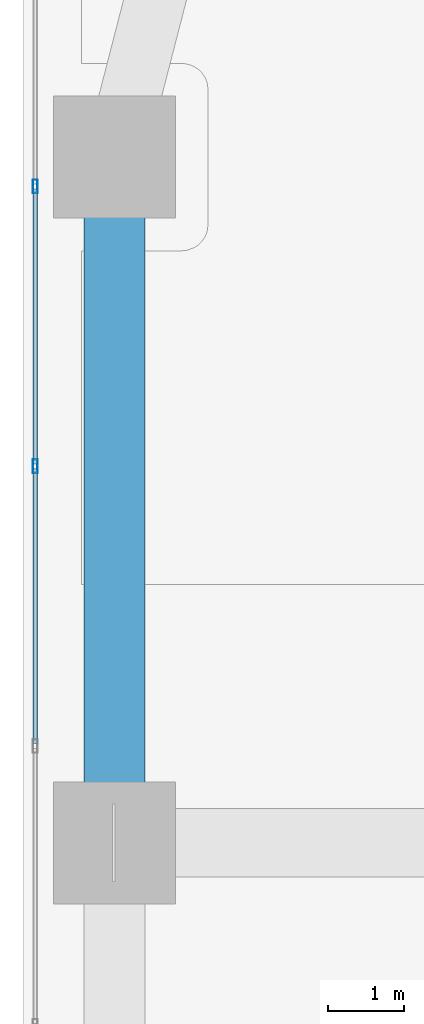
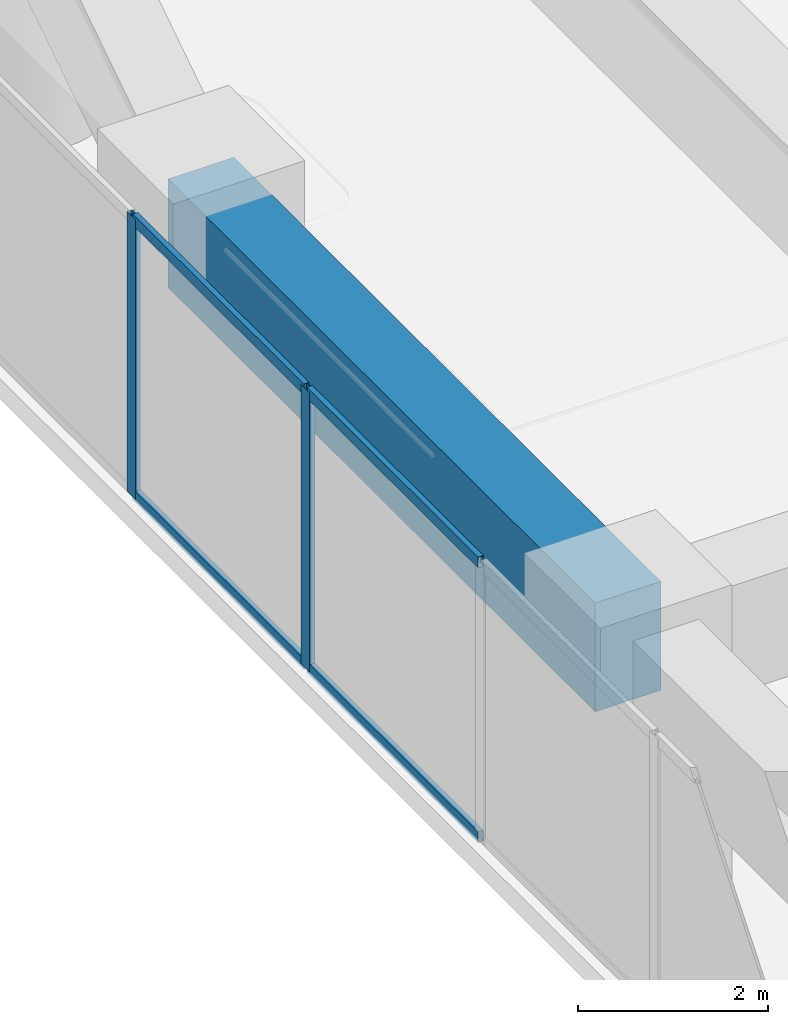
# One storey, part 12 of 28: 6 members, 1 beam, 1 element without a shape of its own.
"""IFC4 building model written with IfcOpenShell, lengths in metres."""

from ifc_helpers import new_model, si_unit, direction, frame, origin, origin_2d, place, context, subcontext, project, spatial, rectangle, hollow_rectangle, extrude, material, layer, layer_set, material_profile, profile_set, type_object, element, aggregate, save


model = new_model("IFC4")

# Units and contexts
model_context = context("Model", 3, precision=1e-05, world=origin(), true_north=direction((0.0, 1.0)))
body_context = subcontext(model_context, "Body", "Model", "MODEL_VIEW")
ifc_project = project(units=[si_unit("LENGTHUNIT", "METRE"), si_unit("AREAUNIT", "SQUARE_METRE"), si_unit("VOLUMEUNIT", "CUBIC_METRE"), si_unit("PLANEANGLEUNIT", "RADIAN"), si_unit("MASSUNIT", "GRAM", prefix="KILO")], contexts=[model_context])

# Site, building, storey
site_placement = place(None, origin())
site = spatial("IfcSite", under=ifc_project, at=site_placement, CompositionType="ELEMENT")
building_placement = place(site_placement, origin())
building = spatial("IfcBuilding", under=site, at=building_placement, Name="Kiyonajd Concourse Tower", CompositionType="ELEMENT")
storey_placement = place(building_placement, frame((0.0, 0.0, 76.800048828125)))
storey = spatial("IfcBuildingStorey", under=building, at=storey_placement, Name="L20", CompositionType="ELEMENT", Elevation=76.800048828125)

# Beam
ifc_material_1 = material(Name="Concrete C60/75", Category="concrete")
ifc_material_profile_1 = material_profile(ifc_material_1, rectangle(XDim=0.800048828125, YDim=1.39990234375, at=origin_2d()), Name="RCBM-800x1400")
ifc_profile_set_1 = profile_set([ifc_material_profile_1], Name="Concrete C60/75")
beam_type = type_object("IfcBeamType", Name="BM-XFER-RC", PredefinedType="BEAM", material=ifc_profile_set_1)
beam_placement = place(storey_placement, frame((19.199951171875, 53.39990234375, 2.89990234375), z_axis=(0.0, -1.0, 0.0), x_axis=(1.0, 0.0, 0.0)))
element("IfcBeam", 1, at=beam_placement, inside=storey, type_object=beam_type, Name="L20 Perimeter Bundled Tube Spandrel", PredefinedType="BEAM", context=body_context, shape_type="SweptSolid", body=[
    extrude(rectangle(XDim=0.800048828125, YDim=1.39990234375, at=origin_2d()), origin(), (0.0, 0.0, 1.0), 9.0),
])

# Curtain wall, members
ifc_material_2 = material(Name="Thermally Broken Anodised Aluminium", Category="aluminium")
ifc_layer = layer(ifc_material_2, 0.179931640625)
ifc_layer_set = layer_set([ifc_layer], Name="Thermally Broken Anodised Aluminium")
curtain_wall_type = type_object("IfcCurtainWallType", Name="CW-SYS-02", PredefinedType="NOTDEFINED", material=ifc_layer_set)
curtain_wall_placement = place(storey_placement, origin())
curtain_wall = element("IfcCurtainWall", 2, at=curtain_wall_placement, inside=storey, type_object=curtain_wall_type, Name="L20 Unitised Curtain Wall CW2", PredefinedType="NOTDEFINED")
ifc_material_profile_2 = material_profile(ifc_material_2, hollow_rectangle(XDim=0.06494140625, YDim=0.179931640625, WallThickness=0.00390625, at=origin_2d()), Name="MULL-65x180")
ifc_profile_set_2 = profile_set([ifc_material_profile_2], Name="Thermally Broken Anodised Aluminium")
member_type_1 = type_object("IfcMemberType", Name="MB-CW-MULL1", PredefinedType="MULLION", material=ifc_profile_set_2)
member_1_placement = place(storey_placement, frame((18.159912109375, 49.342529296875, 0.0), z_axis=(0.0, 0.0, 1.0), x_axis=(-1.0, 0.0, 0.0)))
member_1 = element("IfcMember", 3, at=member_1_placement, type_object=member_type_1, Name="CW2 mullion 5", PredefinedType="MULLION", context=body_context, shape_type="SweptSolid", body=[
    extrude(hollow_rectangle(XDim=0.06494140625, YDim=0.179931640625, WallThickness=0.00390625, at=origin_2d()), origin(), (0.0, 0.0, 1.0), 3.599853515625),
])
member_2_placement = place(storey_placement, frame((18.159912109375, 53.015869140625, 0.0), z_axis=(0.0, 0.0, 1.0), x_axis=(-1.0, 0.0, 0.0)))
member_2 = element("IfcMember", 4, at=member_2_placement, type_object=member_type_1, Name="CW2 mullion 6", PredefinedType="MULLION", context=body_context, shape_type="SweptSolid", body=[
    extrude(hollow_rectangle(XDim=0.06494140625, YDim=0.179931640625, WallThickness=0.00390625, at=origin_2d()), origin(), (0.0, 0.0, 1.0), 3.599853515625),
])
ifc_material_profile_3 = material_profile(ifc_material_2, hollow_rectangle(XDim=0.06494140625, YDim=0.139892578125, WallThickness=0.00390625, at=origin_2d()), Name="TRAN-65x140")
ifc_profile_set_3 = profile_set([ifc_material_profile_3], Name="Thermally Broken Anodised Aluminium")
member_type_2 = type_object("IfcMemberType", Name="MB-CW-TRAN1", PredefinedType="USERDEFINED", material=ifc_profile_set_3)
member_3_placement = place(storey_placement, frame((18.159912109375, 45.701904296875, 0.032470703125), z_axis=(0.0, 1.0, 0.0), x_axis=(-1.0, 0.0, 0.0)))
member_3 = element("IfcMember", 5, at=member_3_placement, type_object=member_type_2, Name="CW2 transom 4.1", ObjectType="TRANSOM", PredefinedType="USERDEFINED", context=body_context, shape_type="SweptSolid", body=[
    extrude(hollow_rectangle(XDim=0.06494140625, YDim=0.139892578125, WallThickness=0.00390625, at=origin_2d()), origin(), (0.0, 0.0, 1.0), 3.608154296875),
])
member_4_placement = place(storey_placement, frame((18.159912109375, 45.701904296875, 3.5673828125), z_axis=(0.0, 1.0, 0.0), x_axis=(-1.0, 0.0, 0.0)))
member_4 = element("IfcMember", 6, at=member_4_placement, type_object=member_type_2, Name="CW2 transom 4.2", ObjectType="TRANSOM", PredefinedType="USERDEFINED", context=body_context, shape_type="SweptSolid", body=[
    extrude(hollow_rectangle(XDim=0.06494140625, YDim=0.139892578125, WallThickness=0.00390625, at=origin_2d()), origin(), (0.0, 0.0, 1.0), 3.608154296875),
])
member_5_placement = place(storey_placement, frame((18.159912109375, 49.375, 0.032470703125), z_axis=(0.0, 1.0, 0.0), x_axis=(-1.0, 0.0, 0.0)))
member_5 = element("IfcMember", 7, at=member_5_placement, type_object=member_type_2, Name="CW2 transom 5.1", ObjectType="TRANSOM", PredefinedType="USERDEFINED", context=body_context, shape_type="SweptSolid", body=[
    extrude(hollow_rectangle(XDim=0.06494140625, YDim=0.139892578125, WallThickness=0.00390625, at=origin_2d()), origin(), (0.0, 0.0, 1.0), 3.608154296875),
])
member_6_placement = place(storey_placement, frame((18.159912109375, 49.375, 3.5673828125), z_axis=(0.0, 1.0, 0.0), x_axis=(-1.0, 0.0, 0.0)))
member_6 = element("IfcMember", 8, at=member_6_placement, type_object=member_type_2, Name="CW2 transom 5.2", ObjectType="TRANSOM", PredefinedType="USERDEFINED", context=body_context, shape_type="SweptSolid", body=[
    extrude(hollow_rectangle(XDim=0.06494140625, YDim=0.139892578125, WallThickness=0.00390625, at=origin_2d()), origin(), (0.0, 0.0, 1.0), 3.608154296875),
])
aggregate(curtain_wall, [member_1, member_2, member_3, member_4, member_5, member_6])

save(model, "model.ifc")
